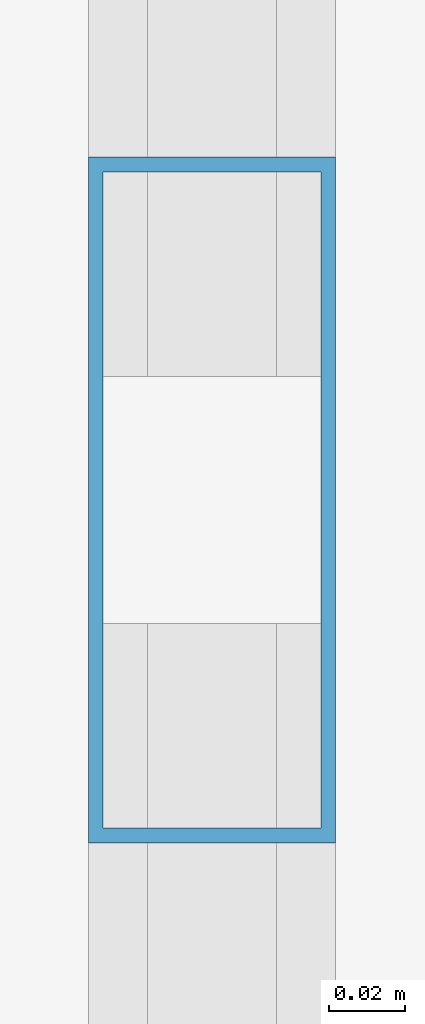
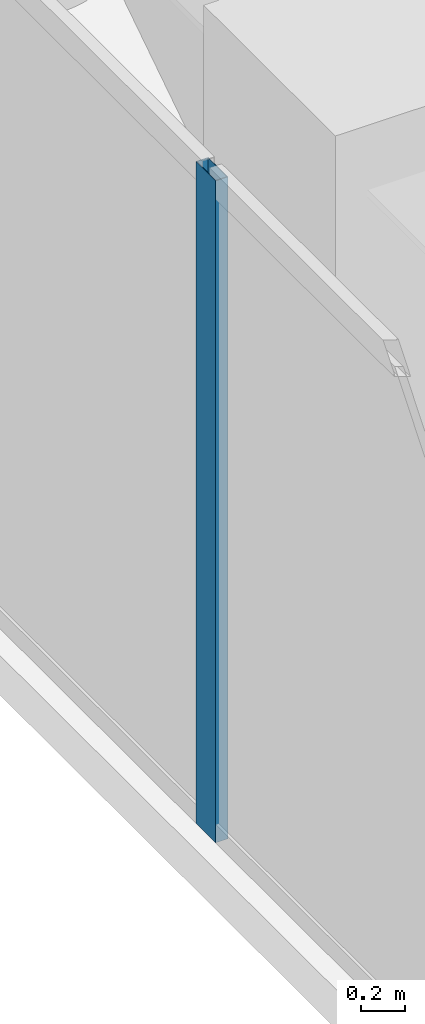
# One storey, part 9 of 26: 1 member, 1 element without a shape of its own.
"""IFC4 building model written with IfcOpenShell, lengths in metres."""

from ifc_helpers import new_model, si_unit, direction, frame, origin, origin_2d, place, context, subcontext, project, spatial, hollow_rectangle, extrude, material, layer, layer_set, material_profile, profile_set, type_object, element, aggregate, save


model = new_model("IFC4")

# Units and contexts
model_context = context("Model", 3, precision=1e-05, world=origin(), true_north=direction((0.0, 1.0)))
body_context = subcontext(model_context, "Body", "Model", "MODEL_VIEW")
ifc_project = project(units=[si_unit("LENGTHUNIT", "METRE"), si_unit("AREAUNIT", "SQUARE_METRE"), si_unit("VOLUMEUNIT", "CUBIC_METRE"), si_unit("PLANEANGLEUNIT", "RADIAN"), si_unit("MASSUNIT", "GRAM", prefix="KILO")], contexts=[model_context])

# Site, building, storey
site_placement = place(None, origin())
site = spatial("IfcSite", under=ifc_project, at=site_placement, CompositionType="ELEMENT")
building_placement = place(site_placement, origin())
building = spatial("IfcBuilding", under=site, at=building_placement, Name="Kiyonajd Concourse Tower", CompositionType="ELEMENT")
storey_placement = place(building_placement, frame((0.0, 0.0, 186.300048828125)))
storey = spatial("IfcBuildingStorey", under=building, at=storey_placement, Name="L47", CompositionType="ELEMENT", Elevation=186.300048828125)

# Curtain wall, member
ifc_material = material(Name="Thermally Broken Anodised Aluminium", Category="aluminium")
ifc_layer = layer(ifc_material, 0.179931640625)
ifc_layer_set = layer_set([ifc_layer], Name="Thermally Broken Anodised Aluminium")
curtain_wall_type = type_object("IfcCurtainWallType", Name="CW-SYS-03", PredefinedType="NOTDEFINED", material=ifc_layer_set)
curtain_wall_placement = place(storey_placement, origin())
curtain_wall = element("IfcCurtainWall", 1, at=curtain_wall_placement, inside=storey, type_object=curtain_wall_type, Name="L47 Unitised Curtain Wall CW3", PredefinedType="NOTDEFINED")
ifc_material_profile = material_profile(ifc_material, hollow_rectangle(XDim=0.06494140625, YDim=0.179931640625, WallThickness=0.00390625, at=origin_2d()), Name="MULL-65x180")
ifc_profile_set = profile_set([ifc_material_profile], Name="Thermally Broken Anodised Aluminium")
member_type = type_object("IfcMemberType", Name="MB-CW-MULL1", PredefinedType="MULLION", material=ifc_profile_set)
member_placement = place(storey_placement, frame((18.139892578125, 53.126220703125, 0.0), z_axis=(0.0, 0.0, 1.0), x_axis=(-1.0, 0.0, 0.0)))
member = element("IfcMember", 2, at=member_placement, type_object=member_type, Name="CW3 mullion 4", PredefinedType="MULLION", context=body_context, shape_type="SweptSolid", body=[
    extrude(hollow_rectangle(XDim=0.06494140625, YDim=0.179931640625, WallThickness=0.00390625, at=origin_2d()), origin(), (0.0, 0.0, 1.0), 3.679931640625),
])
aggregate(curtain_wall, [member])

save(model, "model.ifc")
